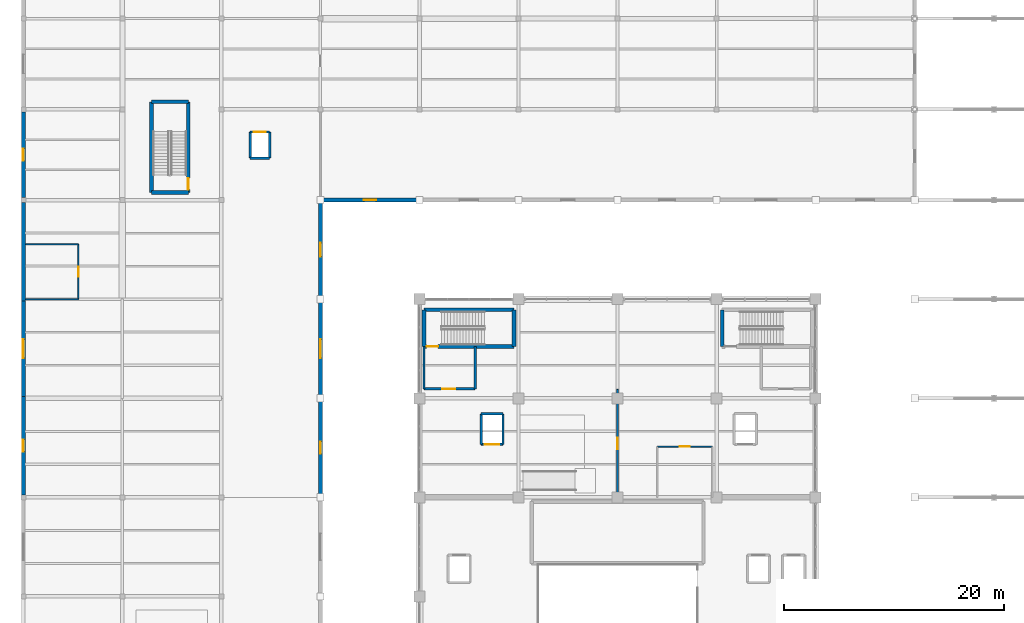
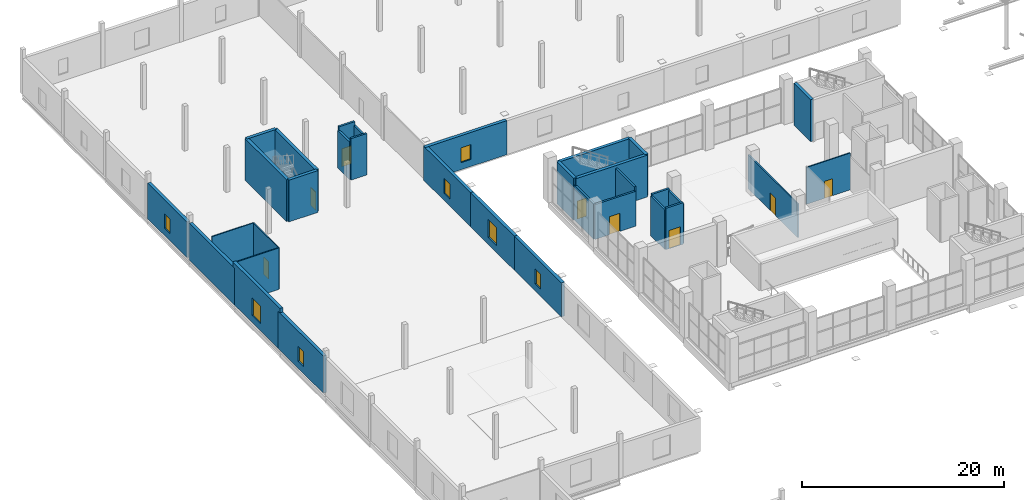
# One storey, part 131 of 147: 33 walls, 8 doors, 7 windows, 15 openings.
"""IFC4 building model written with IfcOpenShell, lengths in metres."""

from ifc_helpers import new_model, si_unit, direction, frame, frame_2d, origin, place, context, subcontext, project, spatial, rectangle, extrude, material, layer, layer_set, type_object, element, fill, save


model = new_model("IFC4")

# Units and contexts
model_context = context("Model", 3, precision=1e-05, world=origin(), true_north=direction((0.0, 1.0)))
body_context = subcontext(model_context, "Body", "Model", "MODEL_VIEW")
ifc_project = project(units=[si_unit("LENGTHUNIT", "METRE"), si_unit("AREAUNIT", "SQUARE_METRE"), si_unit("VOLUMEUNIT", "CUBIC_METRE"), si_unit("PLANEANGLEUNIT", "RADIAN"), si_unit("MASSUNIT", "GRAM", prefix="KILO")], contexts=[model_context])

# Site, building, storey
site_placement = place(None, origin())
site = spatial("IfcSite", under=ifc_project, at=site_placement, CompositionType="ELEMENT")
building_placement = place(site_placement, origin())
building = spatial("IfcBuilding", under=site, at=building_placement, Name="Sundgate Opera House", CompositionType="ELEMENT")
storey_placement = place(building_placement, frame((0.0, 0.0, 6.0)))
storey = spatial("IfcBuildingStorey", under=building, at=storey_placement, Name="L01", CompositionType="ELEMENT", Elevation=6.0)

# Wall, opening, door
ifc_material_1 = material(Name="Concrete C40/50", Category="concrete")
ifc_layer_1 = layer(ifc_material_1, 0.35009765625)
ifc_layer_set_1 = layer_set([ifc_layer_1], Name="Concrete C40/50")
wall_type_1 = type_object("IfcWallType", Name="WL-CORE-350", PredefinedType="SHEAR", material=ifc_layer_set_1)
wall_1_placement = place(storey_placement, frame((36.409912109375, 73.7099609375, 0.0), z_axis=(0.0, 0.0, 1.0), x_axis=(1.0, 0.0, 0.0)))
wall_1 = element("IfcWall", 1, at=wall_1_placement, inside=storey, type_object=wall_type_1, Name="L01 C2 South Shaft Wall", PredefinedType="SHEAR", context=body_context, shape_type="SweptSolid", body=[
    extrude(rectangle(XDim=8.18017578125, YDim=0.35009765625, at=frame_2d((4.090087890625, 0.0))), origin(), (0.0, 0.0, 1.0), 5.050048828125),
])
opening_1_placement = place(wall_1_placement, frame((0.239990234375, 0.0, 0.0)))
opening_1 = element("IfcOpeningElement", 2, at=opening_1_placement, cuts=wall_1, Name="Opening DI01", PredefinedType="OPENING", context=body_context, shape_type="SweptSolid", body=[
    extrude(rectangle(XDim=1.050048828125, YDim=2.179931640625, at=frame_2d((0.52490234375, 1.08984375))), frame((0.0, 0.18505859375, 0.0), z_axis=(0.0, -1.0, 0.0), x_axis=(1.0, 0.0, 0.0)), (0.0, 0.0, 1.0), 0.3701171875),
])
ifc_material_2 = material(Name="Acoustic hardwood timber and steel core", Category="steel")
door_type_1 = type_object("IfcDoorType", Name="DR-STAIR-1050x2180", OperationType="NOTDEFINED", PredefinedType="DOOR", material=ifc_material_2)
door_1_placement = place(opening_1_placement, origin())
door_1 = element("IfcDoor", 3, at=door_1_placement, inside=storey, type_object=door_type_1, Name="L01 C2 Stair Door D0036", OperationType="SINGLE_SWING_RIGHT", OverallHeight=2.179931640625, OverallWidth=1.050048828125, PredefinedType="DOOR", context=body_context, shape_type="SweptSolid", body=[
    extrude(rectangle(XDim=1.050048828125, YDim=2.179931640625, at=frame_2d((0.52490234375, 1.08984375))), frame((0.0, 0.02490234375, 0.0), z_axis=(0.0, -1.0, 0.0), x_axis=(1.0, 0.0, 0.0)), (0.0, 0.0, 1.0), 0.050048828125),
])
fill(opening_1, door_1)

# Walls
wall_2_placement = place(storey_placement, frame((36.409912109375, 77.0400390625, 0.0), z_axis=(0.0, 0.0, 1.0), x_axis=(1.0, 0.0, 0.0)))
element("IfcWall", 4, at=wall_2_placement, inside=storey, type_object=wall_type_1, Name="L01 C2 North Shaft Wall", PredefinedType="SHEAR", context=body_context, shape_type="SweptSolid", body=[
    extrude(rectangle(XDim=8.18017578125, YDim=0.35009765625, at=frame_2d((4.090087890625, 0.0))), origin(), (0.0, 0.0, 1.0), 5.050048828125),
])
for number, where, z_axis, x_axis, name in (
    (5, (36.409912109375, 73.7099609375, 0.0), (0.0, 0.0, 1.0), (0.0, 1.0, 0.0), "L01 C2 West Shaft Wall"),
    (6, (44.590087890625, 73.7099609375, 0.0), (0.0, 0.0, 1.0), (0.0, 1.0, 0.0), "L01 C2 East Shaft Wall"),
    (7, (63.510009765625, 73.7099609375, 0.0), (0.0, 0.0, 1.0), (0.0, 1.0, 0.0), "L01 C4 West Shaft Wall"),
    (8, (11.659912109375, 87.7099609375, 0.0), (0.0, 0.0, 1.0), (1.0, 0.0, 0.0), "L01 C8 South Shaft Wall"),
    (9, (11.659912109375, 95.93994140625, 0.0), (0.0, 0.0, 1.0), (1.0, 0.0, 0.0), "L01 C8 North Shaft Wall"),
):
    element("IfcWall", number, at=place(storey_placement, frame(where, z_axis=z_axis, x_axis=x_axis)), inside=storey, type_object=wall_type_1, Name=name, PredefinedType="SHEAR", context=body_context, shape_type="SweptSolid", body=[
        extrude(rectangle(XDim=3.330078125, YDim=0.35009765625, at=frame_2d((1.6650390625, 0.0))), origin(), (0.0, 0.0, 1.0), 5.050048828125),
    ])
wall_3_placement = place(storey_placement, frame((11.659912109375, 87.7099609375, 0.0), z_axis=(0.0, 0.0, 1.0), x_axis=(0.0, 1.0, 0.0)))
element("IfcWall", 10, at=wall_3_placement, inside=storey, type_object=wall_type_1, Name="L01 C8 West Shaft Wall", PredefinedType="SHEAR", context=body_context, shape_type="SweptSolid", body=[
    extrude(rectangle(XDim=8.22998046875, YDim=0.35009765625, at=frame_2d((4.114990234375, 0.0))), origin(), (0.0, 0.0, 1.0), 5.050048828125),
])

# Wall, opening, door
wall_4_placement = place(storey_placement, frame((14.989990234375, 87.7099609375, 0.0), z_axis=(0.0, 0.0, 1.0), x_axis=(0.0, 1.0, 0.0)))
wall_4 = element("IfcWall", 11, at=wall_4_placement, inside=storey, type_object=wall_type_1, Name="L01 C8 East Shaft Wall", PredefinedType="SHEAR", context=body_context, shape_type="SweptSolid", body=[
    extrude(rectangle(XDim=8.22998046875, YDim=0.35009765625, at=frame_2d((4.114990234375, 0.0))), origin(), (0.0, 0.0, 1.0), 5.050048828125),
])
opening_2_placement = place(wall_4_placement, frame((0.239990234375, 0.0, 0.0)))
opening_2 = element("IfcOpeningElement", 12, at=opening_2_placement, cuts=wall_4, Name="Opening DI01", PredefinedType="OPENING", context=body_context, shape_type="SweptSolid", body=[
    extrude(rectangle(XDim=1.050048828125, YDim=2.179931640625, at=frame_2d((0.52490234375, 1.08984375))), frame((0.0, 0.18505859375, 0.0), z_axis=(0.0, -1.0, 0.0), x_axis=(1.0, 0.0, 0.0)), (0.0, 0.0, 1.0), 0.3701171875),
])
door_2_placement = place(opening_2_placement, origin())
door_2 = element("IfcDoor", 13, at=door_2_placement, inside=storey, type_object=door_type_1, Name="L01 C8 Stair Door D0089", OperationType="SINGLE_SWING_LEFT", OverallHeight=2.179931640625, OverallWidth=1.050048828125, PredefinedType="DOOR", context=body_context, shape_type="SweptSolid", body=[
    extrude(rectangle(XDim=1.050048828125, YDim=2.179931640625, at=frame_2d((0.52490234375, 1.08984375))), frame((0.0, 0.02490234375, 0.0), z_axis=(0.0, -1.0, 0.0), x_axis=(1.0, 0.0, 0.0)), (0.0, 0.0, 1.0), 0.050048828125),
])
fill(opening_2, door_2)

# Wall, opening, window
ifc_material_3 = material(Name="Scanian red-brown facing brick masonry", Category="masonry")
ifc_layer_2 = layer(ifc_material_3, 0.360107421875)
ifc_layer_set_2 = layer_set([ifc_layer_2], Name="Scanian red-brown facing brick masonry")
wall_type_2 = type_object("IfcWallType", Name="WL-EXT-BRICK-360", PredefinedType="SOLIDWALL", material=ifc_layer_set_2)
wall_5_placement = place(storey_placement, frame((0.0, 95.030029296875, 0.0), z_axis=(0.0, 0.0, 1.0), x_axis=(0.0, -1.0, 0.0)))
wall_5 = element("IfcWall", 14, at=wall_5_placement, inside=storey, type_object=wall_type_2, Name="L01 Costume Wing West Wall W0385", PredefinedType="SOLIDWALL", context=body_context, shape_type="SweptSolid", body=[
    extrude(rectangle(XDim=7.81005859375, YDim=0.360107421875, at=frame_2d((3.905029296875, 0.0))), origin(), (0.0, 0.0, 1.0), 4.31494140625),
])
opening_3_placement = place(wall_5_placement, frame((3.35498046875, 0.0, 0.85009765625)))
opening_3 = element("IfcOpeningElement", 15, at=opening_3_placement, cuts=wall_5, Name="Opening W12", PredefinedType="OPENING", context=body_context, shape_type="SweptSolid", body=[
    extrude(rectangle(XDim=1.10009765625, YDim=1.800048828125, at=frame_2d((0.550048828125, 0.89990234375))), frame((0.0, 0.18994140625, 0.0), z_axis=(0.0, -1.0, 0.0), x_axis=(1.0, 0.0, 0.0)), (0.0, 0.0, 1.0), 0.380126953125),
])
ifc_material_4 = material(Name="Low-iron triple glazing in patinated bronze frame", Category="glass")
window_type_1 = type_object("IfcWindowType", Name="WN-STAGE-1100x1800", PartitioningType="SINGLE_PANEL", PredefinedType="WINDOW", material=ifc_material_4)
window_1_placement = place(opening_3_placement, origin())
window_1 = element("IfcWindow", 16, at=window_1_placement, inside=storey, type_object=window_type_1, Name="L01 Costume Pavilion Window WN0299", OverallHeight=1.800048828125, OverallWidth=1.10009765625, PartitioningType="SINGLE_PANEL", PredefinedType="WINDOW", context=body_context, shape_type="SweptSolid", body=[
    extrude(rectangle(XDim=1.10009765625, YDim=1.800048828125, at=frame_2d((0.550048828125, 0.89990234375))), frame((0.0, 0.030029296875, 0.0), z_axis=(0.0, -1.0, 0.0), x_axis=(1.0, 0.0, 0.0)), (0.0, 0.0, 1.0), 0.06005859375),
])
fill(opening_3, window_1)

wall_6_placement = place(storey_placement, frame((0.0, 69.159912109375, 0.0), z_axis=(0.0, 0.0, 1.0), x_axis=(0.0, -1.0, 0.0)))
wall_6 = element("IfcWall", 17, at=wall_6_placement, inside=storey, type_object=wall_type_2, Name="L01 Costume Wing West_Link Wall W0393", PredefinedType="SOLIDWALL", context=body_context, shape_type="SweptSolid", body=[
    extrude(rectangle(XDim=8.93994140625, YDim=0.360107421875, at=frame_2d((4.469970703125, 0.0))), origin(), (0.0, 0.0, 1.0), 4.485107421875),
])
opening_4_placement = place(wall_6_placement, frame((3.919921875, 0.0, 0.85009765625)))
opening_4 = element("IfcOpeningElement", 18, at=opening_4_placement, cuts=wall_6, Name="Opening W12", PredefinedType="OPENING", context=body_context, shape_type="SweptSolid", body=[
    extrude(rectangle(XDim=1.10009765625, YDim=1.800048828125, at=frame_2d((0.550048828125, 0.89990234375))), frame((0.0, 0.18994140625, 0.0), z_axis=(0.0, -1.0, 0.0), x_axis=(1.0, 0.0, 0.0)), (0.0, 0.0, 1.0), 0.380126953125),
])
window_2_placement = place(opening_4_placement, origin())
window_2 = element("IfcWindow", 19, at=window_2_placement, inside=storey, type_object=window_type_1, Name="L01 Costume Pavilion Window WN0307", OverallHeight=1.800048828125, OverallWidth=1.10009765625, PartitioningType="SINGLE_PANEL", PredefinedType="WINDOW", context=body_context, shape_type="SweptSolid", body=[
    extrude(rectangle(XDim=1.10009765625, YDim=1.800048828125, at=frame_2d((0.550048828125, 0.89990234375))), frame((0.0, 0.030029296875, 0.0), z_axis=(0.0, -1.0, 0.0), x_axis=(1.0, 0.0, 0.0)), (0.0, 0.0, 1.0), 0.06005859375),
])
fill(opening_4, window_2)

wall_7_placement = place(storey_placement, frame((27.0, 59.840087890625, 0.0), z_axis=(0.0, 0.0, 1.0), x_axis=(0.0, 1.0, 0.0)))
wall_7 = element("IfcWall", 20, at=wall_7_placement, inside=storey, type_object=wall_type_2, Name="L01 Costume Wing East_Link Wall W0394", PredefinedType="SOLIDWALL", context=body_context, shape_type="SweptSolid", body=[
    extrude(rectangle(XDim=9.31982421875, YDim=0.360107421875, at=frame_2d((4.659912109375, 0.0))), origin(), (0.0, 0.0, 1.0), 4.114990234375),
])
opening_5_placement = place(wall_7_placement, frame((4.110107421875, 0.0, 0.85009765625)))
opening_5 = element("IfcOpeningElement", 21, at=opening_5_placement, cuts=wall_7, Name="Opening W12", PredefinedType="OPENING", context=body_context, shape_type="SweptSolid", body=[
    extrude(rectangle(XDim=1.10009765625, YDim=1.800048828125, at=frame_2d((0.550048828125, 0.89990234375))), frame((0.0, 0.18994140625, 0.0), z_axis=(0.0, -1.0, 0.0), x_axis=(1.0, 0.0, 0.0)), (0.0, 0.0, 1.0), 0.380126953125),
])
window_3_placement = place(opening_5_placement, origin())
window_3 = element("IfcWindow", 22, at=window_3_placement, inside=storey, type_object=window_type_1, Name="L01 Costume Pavilion Window WN0308", OverallHeight=1.800048828125, OverallWidth=1.10009765625, PartitioningType="SINGLE_PANEL", PredefinedType="WINDOW", context=body_context, shape_type="SweptSolid", body=[
    extrude(rectangle(XDim=1.10009765625, YDim=1.800048828125, at=frame_2d((0.550048828125, 0.89990234375))), frame((0.0, 0.030029296875, 0.0), z_axis=(0.0, -1.0, 0.0), x_axis=(1.0, 0.0, 0.0)), (0.0, 0.0, 1.0), 0.06005859375),
])
fill(opening_5, window_3)

wall_8_placement = place(storey_placement, frame((0.0, 78.159912109375, 0.0), z_axis=(0.0, 0.0, 1.0), x_axis=(0.0, -1.0, 0.0)))
wall_8 = element("IfcWall", 23, at=wall_8_placement, inside=storey, type_object=wall_type_2, Name="L01 Costume Wing West_Link Wall W0395", PredefinedType="SOLIDWALL", context=body_context, shape_type="SweptSolid", body=[
    extrude(rectangle(XDim=9.31982421875, YDim=0.360107421875, at=frame_2d((4.659912109375, 0.0))), origin(), (0.0, 0.0, 1.0), 5.014892578125),
])
opening_6_placement = place(wall_8_placement, frame((3.81005859375, 0.0, 0.85009765625)))
opening_6 = element("IfcOpeningElement", 24, at=opening_6_placement, cuts=wall_8, Name="Opening W13", PredefinedType="OPENING", context=body_context, shape_type="SweptSolid", body=[
    extrude(rectangle(XDim=1.699951171875, YDim=2.14990234375, at=frame_2d((0.85009765625, 1.074951171875))), frame((0.0, 0.18994140625, 0.0), z_axis=(0.0, -1.0, 0.0), x_axis=(1.0, 0.0, 0.0)), (0.0, 0.0, 1.0), 0.380126953125),
])
ifc_material_5 = material(Name="Low-iron triple glazing in patinated bronze frame", Category="glass")
window_type_2 = type_object("IfcWindowType", Name="WN-GALL-1700x2150", PartitioningType="SINGLE_PANEL", PredefinedType="WINDOW", material=ifc_material_5)
window_4_placement = place(opening_6_placement, origin())
window_4 = element("IfcWindow", 25, at=window_4_placement, inside=storey, type_object=window_type_2, Name="L01 Costume Pavilion Window WN0309", OverallHeight=2.14990234375, OverallWidth=1.699951171875, PartitioningType="SINGLE_PANEL", PredefinedType="WINDOW", context=body_context, shape_type="SweptSolid", body=[
    extrude(rectangle(XDim=1.699951171875, YDim=2.14990234375, at=frame_2d((0.85009765625, 1.074951171875))), frame((0.0, 0.030029296875, 0.0), z_axis=(0.0, -1.0, 0.0), x_axis=(1.0, 0.0, 0.0)), (0.0, 0.0, 1.0), 0.06005859375),
])
fill(opening_6, window_4)

wall_9_placement = place(storey_placement, frame((27.0, 68.840087890625, 0.0), z_axis=(0.0, 0.0, 1.0), x_axis=(0.0, 1.0, 0.0)))
wall_9 = element("IfcWall", 26, at=wall_9_placement, inside=storey, type_object=wall_type_2, Name="L01 Costume Wing East_Link Wall W0396", PredefinedType="SOLIDWALL", context=body_context, shape_type="SweptSolid", body=[
    extrude(rectangle(XDim=9.31982421875, YDim=0.360107421875, at=frame_2d((4.659912109375, 0.0))), origin(), (0.0, 0.0, 1.0), 4.114990234375),
])
opening_7_placement = place(wall_9_placement, frame((3.81005859375, 0.0, 0.85009765625)))
opening_7 = element("IfcOpeningElement", 27, at=opening_7_placement, cuts=wall_9, Name="Opening W13", PredefinedType="OPENING", context=body_context, shape_type="SweptSolid", body=[
    extrude(rectangle(XDim=1.699951171875, YDim=2.14990234375, at=frame_2d((0.85009765625, 1.074951171875))), frame((0.0, 0.18994140625, 0.0), z_axis=(0.0, -1.0, 0.0), x_axis=(1.0, 0.0, 0.0)), (0.0, 0.0, 1.0), 0.380126953125),
])
window_5_placement = place(opening_7_placement, origin())
window_5 = element("IfcWindow", 28, at=window_5_placement, inside=storey, type_object=window_type_2, Name="L01 Costume Pavilion Window WN0310", OverallHeight=2.14990234375, OverallWidth=1.699951171875, PartitioningType="SINGLE_PANEL", PredefinedType="WINDOW", context=body_context, shape_type="SweptSolid", body=[
    extrude(rectangle(XDim=1.699951171875, YDim=2.14990234375, at=frame_2d((0.85009765625, 1.074951171875))), frame((0.0, 0.030029296875, 0.0), z_axis=(0.0, -1.0, 0.0), x_axis=(1.0, 0.0, 0.0)), (0.0, 0.0, 1.0), 0.06005859375),
])
fill(opening_7, window_5)

# Wall
wall_10_placement = place(storey_placement, frame((0.0, 86.780029296875, 0.0), z_axis=(0.0, 0.0, 1.0), x_axis=(0.0, -1.0, 0.0)))
element("IfcWall", 29, at=wall_10_placement, inside=storey, type_object=wall_type_2, Name="L01 Costume Wing West_Link Wall W0397", PredefinedType="SOLIDWALL", context=body_context, shape_type="SweptSolid", body=[
    extrude(rectangle(XDim=8.93994140625, YDim=0.360107421875, at=frame_2d((4.469970703125, 0.0))), origin(), (0.0, 0.0, 1.0), 4.465087890625),
])

# Wall, opening, window
wall_11_placement = place(storey_placement, frame((27.0, 77.840087890625, 0.0), z_axis=(0.0, 0.0, 1.0), x_axis=(0.0, 1.0, 0.0)))
wall_11 = element("IfcWall", 30, at=wall_11_placement, inside=storey, type_object=wall_type_2, Name="L01 Costume Wing East_Link Wall W0398", PredefinedType="SOLIDWALL", context=body_context, shape_type="SweptSolid", body=[
    extrude(rectangle(XDim=9.31982421875, YDim=0.360107421875, at=frame_2d((4.659912109375, 0.0))), origin(), (0.0, 0.0, 1.0), 4.114990234375),
])
opening_8_placement = place(wall_11_placement, frame((4.034912109375, 0.0, 0.85009765625)))
opening_8 = element("IfcOpeningElement", 31, at=opening_8_placement, cuts=wall_11, Name="Opening W14", PredefinedType="OPENING", context=body_context, shape_type="SweptSolid", body=[
    extrude(rectangle(XDim=1.25, YDim=1.85009765625, at=frame_2d((0.625, 0.925048828125))), frame((0.0, 0.18994140625, 0.0), z_axis=(0.0, -1.0, 0.0), x_axis=(1.0, 0.0, 0.0)), (0.0, 0.0, 1.0), 0.380126953125),
])
ifc_material_6 = material(Name="Low-iron triple glazing in patinated bronze frame", Category="glass")
window_type_3 = type_object("IfcWindowType", Name="WN-DRES-1250x1850", PartitioningType="SINGLE_PANEL", PredefinedType="WINDOW", material=ifc_material_6)
window_6_placement = place(opening_8_placement, origin())
window_6 = element("IfcWindow", 32, at=window_6_placement, inside=storey, type_object=window_type_3, Name="L01 Costume Pavilion Window WN0311", OverallHeight=1.85009765625, OverallWidth=1.25, PartitioningType="SINGLE_PANEL", PredefinedType="WINDOW", context=body_context, shape_type="SweptSolid", body=[
    extrude(rectangle(XDim=1.25, YDim=1.85009765625, at=frame_2d((0.625, 0.925048828125))), frame((0.0, 0.030029296875, 0.0), z_axis=(0.0, -1.0, 0.0), x_axis=(1.0, 0.0, 0.0)), (0.0, 0.0, 1.0), 0.06005859375),
])
fill(opening_8, window_6)

wall_12_placement = place(storey_placement, frame((36.159912109375, 87.0, 0.0), z_axis=(0.0, 0.0, 1.0), x_axis=(-1.0, 0.0, 0.0)))
wall_12 = element("IfcWall", 33, at=wall_12_placement, inside=storey, type_object=wall_type_2, Name="L01 Costume Wing South Wall W0399", PredefinedType="SOLIDWALL", context=body_context, shape_type="SweptSolid", body=[
    extrude(rectangle(XDim=9.31982421875, YDim=0.360107421875, at=frame_2d((4.659912109375, 0.0))), origin(), (0.0, 0.0, 1.0), 4.114990234375),
])
opening_9_placement = place(wall_12_placement, frame((4.110107421875, 0.0, 0.85009765625)))
opening_9 = element("IfcOpeningElement", 34, at=opening_9_placement, cuts=wall_12, Name="Opening W12", PredefinedType="OPENING", context=body_context, shape_type="SweptSolid", body=[
    extrude(rectangle(XDim=1.10009765625, YDim=1.800048828125, at=frame_2d((0.550048828125, 0.89990234375))), frame((0.0, 0.18994140625, 0.0), z_axis=(0.0, -1.0, 0.0), x_axis=(1.0, 0.0, 0.0)), (0.0, 0.0, 1.0), 0.380126953125),
])
window_7_placement = place(opening_9_placement, origin())
window_7 = element("IfcWindow", 35, at=window_7_placement, inside=storey, type_object=window_type_1, Name="L01 Costume Pavilion Window WN0312", OverallHeight=1.800048828125, OverallWidth=1.10009765625, PartitioningType="SINGLE_PANEL", PredefinedType="WINDOW", context=body_context, shape_type="SweptSolid", body=[
    extrude(rectangle(XDim=1.10009765625, YDim=1.800048828125, at=frame_2d((0.550048828125, 0.89990234375))), frame((0.0, 0.030029296875, 0.0), z_axis=(0.0, -1.0, 0.0), x_axis=(1.0, 0.0, 0.0)), (0.0, 0.0, 1.0), 0.06005859375),
])
fill(opening_9, window_7)

# Wall, opening, door
ifc_material_7 = material(Name="Fire-rated gypsum and mineral-wool shaft partition", Category="gypsum")
ifc_layer_3 = layer(ifc_material_7, 0.219970703125)
ifc_layer_set_3 = layer_set([ifc_layer_3], Name="Fire-rated gypsum and mineral-wool shaft partition")
wall_type_3 = type_object("IfcWallType", Name="WL-INT-FIRE-220", PredefinedType="PARTITIONING", material=ifc_layer_set_3)
wall_13_placement = place(storey_placement, frame((36.409912109375, 69.85009765625, 0.0), z_axis=(0.0, 0.0, 1.0), x_axis=(1.0, 0.0, 0.0)))
wall_13 = element("IfcWall", 36, at=wall_13_placement, inside=storey, type_object=wall_type_3, Name="L01 C2 Firefighting Lobby South Wall", PredefinedType="PARTITIONING", context=body_context, shape_type="SweptSolid", body=[
    extrude(rectangle(XDim=4.64013671875, YDim=0.219970703125, at=frame_2d((2.320068359375, 0.0))), origin(), (0.0, 0.0, 1.0), 4.215087890625),
])
opening_10_placement = place(wall_13_placement, frame((1.64990234375, 0.0, 0.0)))
opening_10 = element("IfcOpeningElement", 37, at=opening_10_placement, cuts=wall_13, Name="Opening DI02", PredefinedType="OPENING", context=body_context, shape_type="SweptSolid", body=[
    extrude(rectangle(XDim=1.199951171875, YDim=2.179931640625, at=frame_2d((0.60009765625, 1.08984375))), frame((0.0, 0.119873046875, 0.0), z_axis=(0.0, -1.0, 0.0), x_axis=(1.0, 0.0, 0.0)), (0.0, 0.0, 1.0), 0.239990234375),
])
ifc_material_8 = material(Name="Acoustic hardwood timber and steel core", Category="steel")
door_type_2 = type_object("IfcDoorType", Name="DR-FFLOB-1200x2180", OperationType="NOTDEFINED", PredefinedType="DOOR", material=ifc_material_8)
door_3_placement = place(opening_10_placement, origin())
door_3 = element("IfcDoor", 38, at=door_3_placement, inside=storey, type_object=door_type_2, Name="L01 C2 Firefighting Lobby Door D0037", OperationType="SINGLE_SWING_LEFT", OverallHeight=2.179931640625, OverallWidth=1.199951171875, PredefinedType="DOOR", context=body_context, shape_type="SweptSolid", body=[
    extrude(rectangle(XDim=1.199951171875, YDim=2.179931640625, at=frame_2d((0.60009765625, 1.08984375))), frame((0.0, 0.02490234375, 0.0), z_axis=(0.0, -1.0, 0.0), x_axis=(1.0, 0.0, 0.0)), (0.0, 0.0, 1.0), 0.050048828125),
])
fill(opening_10, door_3)

# Walls
wall_14_placement = place(storey_placement, frame((36.409912109375, 69.85009765625, 0.0), z_axis=(0.0, 0.0, 1.0), x_axis=(0.0, 1.0, 0.0)))
element("IfcWall", 39, at=wall_14_placement, inside=storey, type_object=wall_type_3, Name="L01 C2 Firefighting Lobby West Wall", PredefinedType="PARTITIONING", context=body_context, shape_type="SweptSolid", body=[
    extrude(rectangle(XDim=3.85986328125, YDim=0.219970703125, at=frame_2d((1.929931640625, 0.0))), origin(), (0.0, 0.0, 1.0), 4.215087890625),
])
wall_15_placement = place(storey_placement, frame((41.050048828125, 69.85009765625, 0.0), z_axis=(0.0, 0.0, 1.0), x_axis=(0.0, 1.0, 0.0)))
element("IfcWall", 40, at=wall_15_placement, inside=storey, type_object=wall_type_3, Name="L01 C2 Firefighting Lobby East Wall", PredefinedType="PARTITIONING", context=body_context, shape_type="SweptSolid", body=[
    extrude(rectangle(XDim=3.85986328125, YDim=0.219970703125, at=frame_2d((1.929931640625, 0.0))), origin(), (0.0, 0.0, 1.0), 4.715087890625),
])
wall_16_placement = place(storey_placement, frame((20.610107421875, 90.81005859375, 0.0), z_axis=(0.0, 0.0, 1.0), x_axis=(1.0, 0.0, 0.0)))
element("IfcWall", 41, at=wall_16_placement, inside=storey, type_object=wall_type_3, Name="L01 LF-06 South Shaft Wall", PredefinedType="PARTITIONING", context=body_context, shape_type="SweptSolid", body=[
    extrude(rectangle(XDim=1.77978515625, YDim=0.219970703125, at=frame_2d((0.889892578125, 0.0))), origin(), (0.0, 0.0, 1.0), 5.014892578125),
])

# Wall, opening, door
wall_17_placement = place(storey_placement, frame((20.610107421875, 93.18994140625, 0.0), z_axis=(0.0, 0.0, 1.0), x_axis=(1.0, 0.0, 0.0)))
wall_17 = element("IfcWall", 42, at=wall_17_placement, inside=storey, type_object=wall_type_3, Name="L01 LF-06 North Shaft Wall", PredefinedType="PARTITIONING", context=body_context, shape_type="SweptSolid", body=[
    extrude(rectangle(XDim=1.77978515625, YDim=0.219970703125, at=frame_2d((0.889892578125, 0.0))), origin(), (0.0, 0.0, 1.0), 5.014892578125),
])
opening_11_placement = place(wall_17_placement, frame((0.340087890625, 0.0, 0.0)))
opening_11 = element("IfcOpeningElement", 43, at=opening_11_placement, cuts=wall_17, Name="Opening LD1", PredefinedType="OPENING", context=body_context, shape_type="SweptSolid", body=[
    extrude(rectangle(XDim=1.10009765625, YDim=2.179931640625, at=frame_2d((0.550048828125, 1.08984375))), frame((0.0, 0.119873046875, 0.0), z_axis=(0.0, -1.0, 0.0), x_axis=(1.0, 0.0, 0.0)), (0.0, 0.0, 1.0), 0.239990234375),
])
ifc_material_9 = material(Name="Brushed stainless steel EN 1.4301", Category="steel")
door_type_3 = type_object("IfcDoorType", Name="DR-LIFT-1100x2180", OperationType="DOUBLE_DOOR_SLIDING", PredefinedType="DOOR", material=ifc_material_9)
door_4_placement = place(opening_11_placement, origin())
door_4 = element("IfcDoor", 44, at=door_4_placement, inside=storey, type_object=door_type_3, Name="L01 LF-06 Landing Door D0125", OperationType="DOUBLE_DOOR_SLIDING", OverallHeight=2.179931640625, OverallWidth=1.10009765625, PredefinedType="DOOR", context=body_context, shape_type="SweptSolid", body=[
    extrude(rectangle(XDim=1.10009765625, YDim=2.179931640625, at=frame_2d((0.550048828125, 1.08984375))), frame((0.0, 0.02490234375, 0.0), z_axis=(0.0, -1.0, 0.0), x_axis=(1.0, 0.0, 0.0)), (0.0, 0.0, 1.0), 0.050048828125),
])
fill(opening_11, door_4)

# Walls
for number, where, z_axis, x_axis, name in (
    (45, (20.610107421875, 90.81005859375, 0.0), (0.0, 0.0, 1.0), (0.0, 1.0, 0.0), "L01 LF-06 West Shaft Wall"),
    (46, (22.389892578125, 90.81005859375, 0.0), (0.0, 0.0, 1.0), (0.0, 1.0, 0.0), "L01 LF-06 East Shaft Wall"),
):
    element("IfcWall", number, at=place(storey_placement, frame(where, z_axis=z_axis, x_axis=x_axis)), inside=storey, type_object=wall_type_3, Name=name, PredefinedType="PARTITIONING", context=body_context, shape_type="SweptSolid", body=[
        extrude(rectangle(XDim=2.3798828125, YDim=0.219970703125, at=frame_2d((1.18994140625, 0.0))), origin(), (0.0, 0.0, 1.0), 4.56494140625),
    ])

# Wall, opening, door
wall_18_placement = place(storey_placement, frame((41.610107421875, 64.81005859375, 0.0), z_axis=(0.0, 0.0, 1.0), x_axis=(1.0, 0.0, 0.0)))
wall_18 = element("IfcWall", 47, at=wall_18_placement, inside=storey, type_object=wall_type_3, Name="L01 FF1 South Shaft Wall", PredefinedType="PARTITIONING", context=body_context, shape_type="SweptSolid", body=[
    extrude(rectangle(XDim=1.97998046875, YDim=0.219970703125, at=frame_2d((0.989990234375, 0.0))), origin(), (0.0, 0.0, 1.0), 5.014892578125),
])
opening_12_placement = place(wall_18_placement, frame((0.340087890625, 0.0, 0.0)))
opening_12 = element("IfcOpeningElement", 48, at=opening_12_placement, cuts=wall_18, Name="Opening LD2", PredefinedType="OPENING", context=body_context, shape_type="SweptSolid", body=[
    extrude(rectangle(XDim=1.300048828125, YDim=2.199951171875, at=frame_2d((0.64990234375, 1.10009765625))), frame((0.0, 0.119873046875, 0.0), z_axis=(0.0, -1.0, 0.0), x_axis=(1.0, 0.0, 0.0)), (0.0, 0.0, 1.0), 0.239990234375),
])
ifc_material_10 = material(Name="Brushed stainless steel EN 1.4301", Category="steel")
door_type_4 = type_object("IfcDoorType", Name="DR-LIFT-1300x2200", OperationType="DOUBLE_DOOR_SLIDING", PredefinedType="DOOR", material=ifc_material_10)
door_5_placement = place(opening_12_placement, origin())
door_5 = element("IfcDoor", 49, at=door_5_placement, inside=storey, type_object=door_type_4, Name="L01 FF1 Landing Door D0130", OperationType="DOUBLE_DOOR_SLIDING", OverallHeight=2.199951171875, OverallWidth=1.300048828125, PredefinedType="DOOR", context=body_context, shape_type="SweptSolid", body=[
    extrude(rectangle(XDim=1.300048828125, YDim=2.199951171875, at=frame_2d((0.64990234375, 1.10009765625))), frame((0.0, 0.02490234375, 0.0), z_axis=(0.0, -1.0, 0.0), x_axis=(1.0, 0.0, 0.0)), (0.0, 0.0, 1.0), 0.050048828125),
])
fill(opening_12, door_5)

# Walls
wall_19_placement = place(storey_placement, frame((41.610107421875, 67.590087890625, 0.0), z_axis=(0.0, 0.0, 1.0), x_axis=(1.0, 0.0, 0.0)))
element("IfcWall", 50, at=wall_19_placement, inside=storey, type_object=wall_type_3, Name="L01 FF1 North Shaft Wall", PredefinedType="PARTITIONING", context=body_context, shape_type="SweptSolid", body=[
    extrude(rectangle(XDim=1.97998046875, YDim=0.219970703125, at=frame_2d((0.989990234375, 0.0))), origin(), (0.0, 0.0, 1.0), 5.014892578125),
])
for number, where, z_axis, x_axis, name in (
    (51, (41.610107421875, 64.81005859375, 0.0), (0.0, 0.0, 1.0), (0.0, 1.0, 0.0), "L01 FF1 West Shaft Wall"),
    (52, (43.590087890625, 64.81005859375, 0.0), (0.0, 0.0, 1.0), (0.0, 1.0, 0.0), "L01 FF1 East Shaft Wall"),
):
    element("IfcWall", number, at=place(storey_placement, frame(where, z_axis=z_axis, x_axis=x_axis)), inside=storey, type_object=wall_type_3, Name=name, PredefinedType="PARTITIONING", context=body_context, shape_type="SweptSolid", body=[
        extrude(rectangle(XDim=2.780029296875, YDim=0.219970703125, at=frame_2d((1.39013671875, 0.0))), origin(), (0.0, 0.0, 1.0), 4.804931640625),
    ])

# Wall, opening, door
ifc_material_11 = material(Name="Dressing suite acoustic partition", Category="gypsum")
ifc_layer_4 = layer(ifc_material_11, 0.159912109375)
ifc_layer_set_4 = layer_set([ifc_layer_4], Name="Dressing suite acoustic partition")
wall_type_4 = type_object("IfcWallType", Name="WL-INT-PART-160", PredefinedType="PARTITIONING", material=ifc_layer_set_4)
wall_20_placement = place(storey_placement, frame((54.0, 60.0, 0.0), z_axis=(0.0, 0.0, 1.0), x_axis=(0.0, 1.0, 0.0)))
wall_20 = element("IfcWall", 53, at=wall_20_placement, inside=storey, type_object=wall_type_4, Name="L01 Interior Partition W1025", PredefinedType="PARTITIONING", context=body_context, shape_type="SweptSolid", body=[
    extrude(rectangle(XDim=9.800048828125, YDim=0.159912109375, at=frame_2d((4.89990234375, 0.0))), origin(), (0.0, 0.0, 1.0), 4.094970703125),
])
opening_13_placement = place(wall_20_placement, frame((4.375, 0.0, 0.0)))
opening_13 = element("IfcOpeningElement", 54, at=opening_13_placement, cuts=wall_20, Name="Opening DI08", PredefinedType="OPENING", context=body_context, shape_type="SweptSolid", body=[
    extrude(rectangle(XDim=1.050048828125, YDim=2.1201171875, at=frame_2d((0.52490234375, 1.06005859375))), frame((0.0, 0.08984375, 0.0), z_axis=(0.0, -1.0, 0.0), x_axis=(1.0, 0.0, 0.0)), (0.0, 0.0, 1.0), 0.179931640625),
])
ifc_material_12 = material(Name="Acoustic hardwood timber and steel core", Category="steel")
door_type_5 = type_object("IfcDoorType", Name="DR-ROOM-1050x2120", OperationType="NOTDEFINED", PredefinedType="DOOR", material=ifc_material_12)
door_6_placement = place(opening_13_placement, origin())
door_6 = element("IfcDoor", 55, at=door_6_placement, inside=storey, type_object=door_type_5, Name="L01 Interior Door D0197", OperationType="SINGLE_SWING_LEFT", OverallHeight=2.1201171875, OverallWidth=1.050048828125, PredefinedType="DOOR", context=body_context, shape_type="SweptSolid", body=[
    extrude(rectangle(XDim=1.050048828125, YDim=2.1201171875, at=frame_2d((0.52490234375, 1.06005859375))), frame((0.0, 0.02490234375, 0.0), z_axis=(0.0, -1.0, 0.0), x_axis=(1.0, 0.0, 0.0)), (0.0, 0.0, 1.0), 0.050048828125),
])
fill(opening_13, door_6)

ifc_material_13 = material(Name="Moisture-resistant sanitary partition", Category="gypsum")
ifc_layer_5 = layer(ifc_material_13, 0.114990234375)
ifc_layer_set_5 = layer_set([ifc_layer_5], Name="Moisture-resistant sanitary partition")
wall_type_5 = type_object("IfcWallType", Name="WL-INT-WET-115", PredefinedType="PARTITIONING", material=ifc_layer_set_5)
wall_21_placement = place(storey_placement, frame((57.60009765625, 64.60009765625, 0.0), z_axis=(0.0, 0.0, 1.0), x_axis=(1.0, 0.0, 0.0)))
wall_21 = element("IfcWall", 56, at=wall_21_placement, inside=storey, type_object=wall_type_5, Name="L01 Interior Partition W1026", PredefinedType="PARTITIONING", context=body_context, shape_type="SweptSolid", body=[
    extrude(rectangle(XDim=5.0, YDim=0.114990234375, at=frame_2d((2.5, 0.0))), origin(), (0.0, 0.0, 1.0), 4.455078125),
])
opening_14_placement = place(wall_21_placement, frame((2.06005859375, 0.0, 0.0)))
opening_14 = element("IfcOpeningElement", 57, at=opening_14_placement, cuts=wall_21, Name="Opening DI13", PredefinedType="OPENING", context=body_context, shape_type="SweptSolid", body=[
    extrude(rectangle(XDim=0.8798828125, YDim=2.06005859375, at=frame_2d((0.43994140625, 1.030029296875))), frame((0.0, 0.0673828125, 0.0), z_axis=(0.0, -1.0, 0.0), x_axis=(1.0, 0.0, 0.0)), (0.0, 0.0, 1.0), 0.135009765625),
])
ifc_material_14 = material(Name="Acoustic hardwood timber and steel core", Category="steel")
door_type_6 = type_object("IfcDoorType", Name="DR-WC-880x2060", OperationType="NOTDEFINED", PredefinedType="DOOR", material=ifc_material_14)
door_7_placement = place(opening_14_placement, origin())
door_7 = element("IfcDoor", 58, at=door_7_placement, inside=storey, type_object=door_type_6, Name="L01 Interior Door D0198", OperationType="SINGLE_SWING_RIGHT", OverallHeight=2.06005859375, OverallWidth=0.8798828125, PredefinedType="DOOR", context=body_context, shape_type="SweptSolid", body=[
    extrude(rectangle(XDim=0.8798828125, YDim=2.06005859375, at=frame_2d((0.43994140625, 1.030029296875))), frame((0.0, 0.02490234375, 0.0), z_axis=(0.0, -1.0, 0.0), x_axis=(1.0, 0.0, 0.0)), (0.0, 0.0, 1.0), 0.050048828125),
])
fill(opening_14, door_7)

# Walls
for number, where, z_axis, x_axis, name in (
    (59, (0.199951171875, 78.0, 0.0), (0.0, 0.0, 1.0), (1.0, 0.0, 0.0), "L01 Interior Partition W1046"),
    (60, (0.199951171875, 83.0, 0.0), (0.0, 0.0, 1.0), (1.0, 0.0, 0.0), "L01 Interior Partition W1047"),
):
    element("IfcWall", number, at=place(storey_placement, frame(where, z_axis=z_axis, x_axis=x_axis)), inside=storey, type_object=wall_type_5, Name=name, PredefinedType="PARTITIONING", context=body_context, shape_type="SweptSolid", body=[
        extrude(rectangle(XDim=4.800048828125, YDim=0.114990234375, at=frame_2d((2.39990234375, 0.0))), origin(), (0.0, 0.0, 1.0), 5.014892578125),
    ])

# Wall, opening, door
wall_22_placement = place(storey_placement, frame((5.0, 78.0, 0.0), z_axis=(0.0, 0.0, 1.0), x_axis=(0.0, 1.0, 0.0)))
wall_22 = element("IfcWall", 61, at=wall_22_placement, inside=storey, type_object=wall_type_5, Name="L01 Interior Partition W1048", PredefinedType="PARTITIONING", context=body_context, shape_type="SweptSolid", body=[
    extrude(rectangle(XDim=5.0, YDim=0.114990234375, at=frame_2d((2.5, 0.0))), origin(), (0.0, 0.0, 1.0), 5.014892578125),
])
opening_15_placement = place(wall_22_placement, frame((2.0400390625, 0.0, 0.0)))
opening_15 = element("IfcOpeningElement", 62, at=opening_15_placement, cuts=wall_22, Name="Opening DI12", PredefinedType="OPENING", context=body_context, shape_type="SweptSolid", body=[
    extrude(rectangle(XDim=0.919921875, YDim=2.080078125, at=frame_2d((0.4599609375, 1.0400390625))), frame((0.0, 0.0673828125, 0.0), z_axis=(0.0, -1.0, 0.0), x_axis=(1.0, 0.0, 0.0)), (0.0, 0.0, 1.0), 0.135009765625),
])
ifc_material_15 = material(Name="Acoustic hardwood timber and steel core", Category="steel")
door_type_7 = type_object("IfcDoorType", Name="DR-WC-920x2080", OperationType="NOTDEFINED", PredefinedType="DOOR", material=ifc_material_15)
door_8_placement = place(opening_15_placement, origin())
door_8 = element("IfcDoor", 63, at=door_8_placement, inside=storey, type_object=door_type_7, Name="L01 Interior Door D0212", OperationType="SINGLE_SWING_LEFT", OverallHeight=2.080078125, OverallWidth=0.919921875, PredefinedType="DOOR", context=body_context, shape_type="SweptSolid", body=[
    extrude(rectangle(XDim=0.919921875, YDim=2.080078125, at=frame_2d((0.4599609375, 1.0400390625))), frame((0.0, 0.02490234375, 0.0), z_axis=(0.0, -1.0, 0.0), x_axis=(1.0, 0.0, 0.0)), (0.0, 0.0, 1.0), 0.050048828125),
])
fill(opening_15, door_8)

save(model, "model.ifc")
